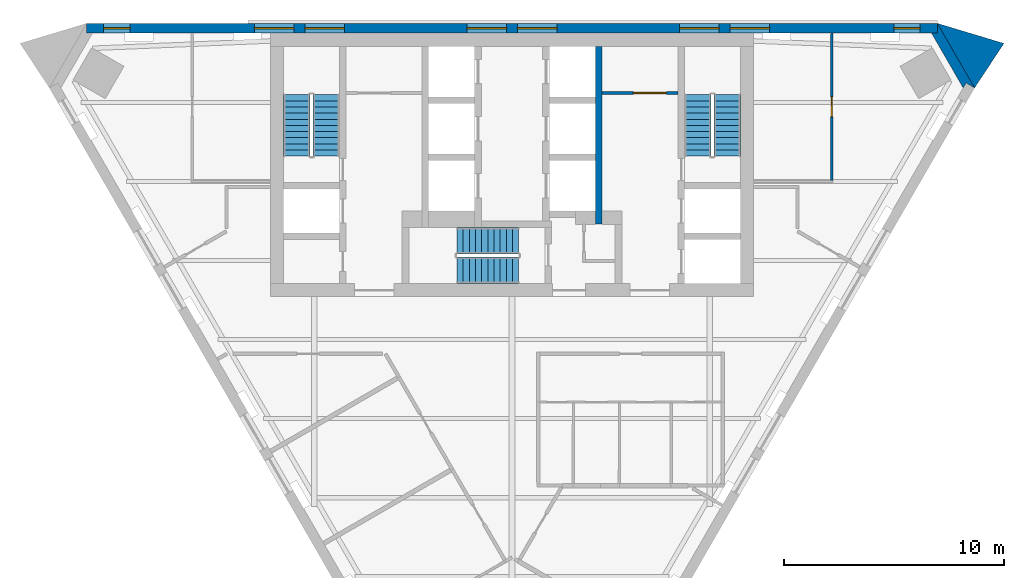
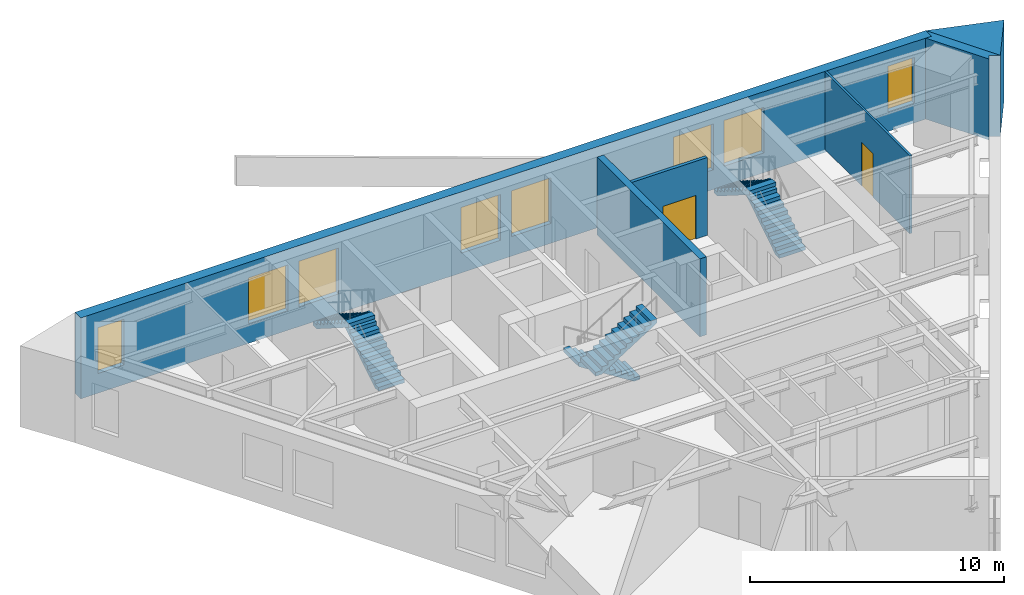
# One storey, part 5 of 6: 8 windows, 6 stair flights, 6 walls, 2 doors, 10 openings, 3 elements without a shape of their own.
"""IFC4 building model written with IfcOpenShell, lengths in metres."""

from ifc_helpers import new_model, si_unit, direction, frame, frame_2d, origin, place, context, subcontext, project, spatial, polyline, rectangle, outline, extrude, material, layer, layer_set, type_object, element, fill, aggregate, save


model = new_model("IFC4")

# Units and contexts
model_context = context("Model", 3, precision=1e-05, world=origin(), true_north=direction((0.0, 1.0)))
body_context = subcontext(model_context, "Body", "Model", "MODEL_VIEW")
ifc_project = project(units=[si_unit("LENGTHUNIT", "METRE"), si_unit("AREAUNIT", "SQUARE_METRE"), si_unit("VOLUMEUNIT", "CUBIC_METRE"), si_unit("PLANEANGLEUNIT", "RADIAN"), si_unit("MASSUNIT", "GRAM", prefix="KILO")], contexts=[model_context])

# Site, building, storey
site_placement = place(None, origin())
site = spatial("IfcSite", under=ifc_project, at=site_placement, CompositionType="ELEMENT")
building_placement = place(site_placement, origin())
building = spatial("IfcBuilding", under=site, at=building_placement, Name="Aloe Facet Convention Tower", CompositionType="ELEMENT")
storey_placement = place(building_placement, frame((0.0, 0.0, 184.10009765625)))
storey = spatial("IfcBuildingStorey", under=building, at=storey_placement, Name="L46", CompositionType="ELEMENT", Elevation=184.10009765625)

# Wall, opening, door
ifc_material_1 = material(Name="Concrete blockwork partition", Category="masonry")
ifc_layer_1 = layer(ifc_material_1, 0.14990234375)
ifc_layer_set_1 = layer_set([ifc_layer_1], Name="CR-W-PART150")
wall_type_1 = type_object("IfcWallType", Name="CR-W-PART150", PredefinedType="PARTITIONING", material=ifc_layer_set_1)
wall_1_placement = place(storey_placement, frame((84.10009765625, 131.824951171875, 0.0), z_axis=(0.0, 0.0, 1.0), x_axis=(1.0, 0.0, 0.0)))
wall_1 = element("IfcWall", 1, at=wall_1_placement, inside=storey, type_object=wall_type_1, Name="Core partition L46-025", PredefinedType="PARTITIONING", context=body_context, shape_type="SweptSolid", body=[
    extrude(rectangle(XDim=3.449951171875, YDim=0.14990234375, at=frame_2d((1.72509765625, 0.0))), origin(), (0.0, 0.0, 1.0), 3.75),
])
opening_1_placement = place(wall_1_placement, frame((1.425048828125, 0.0, 0.0)))
opening_1 = element("IfcOpeningElement", 2, at=opening_1_placement, cuts=wall_1, Name="Opening L46-CD13", PredefinedType="OPENING", context=body_context, shape_type="SweptSolid", body=[
    extrude(rectangle(XDim=1.5, YDim=2.10009765625, at=frame_2d((0.75, 1.050048828125))), frame((0.0, 0.0849609375, 0.0), z_axis=(0.0, -1.0, 0.0), x_axis=(1.0, 0.0, 0.0)), (0.0, 0.0, 1.0), 0.169921875),
])
ifc_material_2 = material(Name="Steel fire-resisting door set FD60", Category="steel")
door_type_1 = type_object("IfcDoorType", Name="CR-D-REFUGE-1500-FD60-DD", OperationType="DOUBLE_DOOR_DOUBLE_SWING", PredefinedType="DOOR", material=ifc_material_2)
door_1_placement = place(opening_1_placement, origin())
door_1 = element("IfcDoor", 3, at=door_1_placement, inside=storey, type_object=door_type_1, Name="Core door L46-CD13", OperationType="DOUBLE_DOOR_DOUBLE_SWING", OverallHeight=2.10009765625, OverallWidth=1.5, PredefinedType="DOOR", context=body_context, shape_type="SweptSolid", body=[
    extrude(rectangle(XDim=1.5, YDim=2.10009765625, at=frame_2d((0.75, 1.050048828125))), frame((0.0, 0.02490234375, 0.0), z_axis=(0.0, -1.0, 0.0), x_axis=(1.0, 0.0, 0.0)), (0.0, 0.0, 1.0), 0.050048828125),
])
fill(opening_1, door_1)

# Walls
ifc_material_3 = material(Name="Concrete C50/60", Category="concrete")
ifc_layer_2 = layer(ifc_material_3, 0.300048828125)
ifc_layer_set_2 = layer_set([ifc_layer_2], Name="CR-W-RC300-C5060")
wall_type_2 = type_object("IfcWallType", Name="CR-W-RC300-C5060", PredefinedType="SOLIDWALL", material=ifc_layer_set_2)
wall_2_placement = place(storey_placement, frame((83.949951171875, 133.949951171875, 0.0), z_axis=(0.0, 0.0, 1.0), x_axis=(0.0, -1.0, 0.0)))
element("IfcWall", 4, at=wall_2_placement, inside=storey, type_object=wall_type_2, Name="Core wall L46-024", PredefinedType="SOLIDWALL", context=body_context, shape_type="SweptSolid", body=[
    extrude(rectangle(XDim=8.099853515625, YDim=0.300048828125, at=frame_2d((4.0498046875, 0.0))), origin(), (0.0, 0.0, 1.0), 3.75),
])
ifc_material_4 = material(Name="Precast concrete C40/50", Category="concrete")
ifc_layer_3 = layer(ifc_material_4, 0.449951171875)
ifc_layer_set_3 = layer_set([ifc_layer_3], Name="EV-WALL-PIER")
wall_type_3 = type_object("IfcWallType", Name="EV-WALL-PIER", PredefinedType="SOLIDWALL", material=ifc_layer_set_3)
wall_3_placement = place(storey_placement, frame((0.0, 0.0, -0.150146484375)))
element("IfcWall", 5, at=wall_3_placement, inside=storey, type_object=wall_type_3, Name="EP-L46-C", PredefinedType="SOLIDWALL", context=body_context, shape_type="SweptSolid", body=[
    extrude(outline(polyline([(101.064697265625, 132.055419921875), (100.6748046875, 132.280517578125), (100.544921875, 132.055419921875), (99.104736328125, 134.550048828125), (99.364501953125, 134.550048828125), (99.364501953125, 135.0), (101.064697265625, 132.055419921875)])), origin(), (0.0, 0.0, 1.0), 3.900146484375),
])
ifc_material_5 = material(Name="Precast concrete C40/50", Category="concrete")
ifc_layer_4 = layer(ifc_material_5, 3.947998046875)
ifc_layer_set_4 = layer_set([ifc_layer_4], Name="EV-WALL-SPINE")
wall_type_4 = type_object("IfcWallType", Name="EV-WALL-SPINE", PredefinedType="SOLIDWALL", material=ifc_layer_set_4)
wall_4_placement = place(storey_placement, frame((0.0, 0.0, -0.150146484375)))
element("IfcWall", 6, at=wall_4_placement, inside=storey, type_object=wall_type_4, Name="SP-NE-L46", PredefinedType="SOLIDWALL", context=body_context, shape_type="SweptSolid", body=[
    extrude(outline(polyline([(101.064697265625, 132.055419921875), (102.40185546875, 134.0849609375), (99.364501953125, 135.0), (101.064697265625, 132.055419921875)])), origin(), (0.0, 0.0, 1.0), 3.900146484375),
])

# Wall, openings, windows
ifc_material_6 = material(Name="Precast concrete C40/50", Category="concrete")
ifc_layer_5 = layer(ifc_material_6, 0.449951171875)
ifc_layer_set_5 = layer_set([ifc_layer_5], Name="EV-WALL-STONE")
wall_type_5 = type_object("IfcWallType", Name="EV-WALL-STONE", PredefinedType="SOLIDWALL", material=ifc_layer_set_5)
wall_5_placement = place(storey_placement, frame((99.364501953125, 134.77490234375, -0.150146484375), z_axis=(0.0, 0.0, 1.0), x_axis=(-1.0, 0.0, 0.0)))
wall_5 = element("IfcWall", 7, at=wall_5_placement, inside=storey, type_object=wall_type_5, Name="EW-L46-N01", PredefinedType="SOLIDWALL", context=body_context, shape_type="SweptSolid", body=[
    extrude(outline(polyline([(38.729248046875, 0.0), (38.729248046875, 3.900146484375), (0.0, 3.900146484375), (0.0, 0.0), (38.729248046875, 0.0)])), frame((0.0, 0.22509765625, 0.0), z_axis=(0.0, -1.0, 0.0), x_axis=(1.0, 0.0, 0.0)), (0.0, 0.0, 1.0), 0.449951171875),
])
opening_2_placement = place(wall_5_placement, frame((0.776123046875, 0.0, 0.949951171875)))
opening_2 = element("IfcOpeningElement", 8, at=opening_2_placement, cuts=wall_5, Name="Opening W-L46-N01", PredefinedType="OPENING", context=body_context, shape_type="SweptSolid", body=[
    extrude(rectangle(XDim=1.199951171875, YDim=2.199951171875, at=frame_2d((0.60009765625, 1.10009765625))), frame((0.0, 0.23486328125, 0.0), z_axis=(0.0, -1.0, 0.0), x_axis=(1.0, 0.0, 0.0)), (0.0, 0.0, 1.0), 0.469970703125),
])
opening_3_placement = place(wall_5_placement, frame((7.63232421875, 0.0, 0.949951171875)))
opening_3 = element("IfcOpeningElement", 9, at=opening_3_placement, cuts=wall_5, Name="Opening W-L46-N02", PredefinedType="OPENING", context=body_context, shape_type="SweptSolid", body=[
    extrude(rectangle(XDim=1.800048828125, YDim=2.199951171875, at=frame_2d((0.89990234375, 1.10009765625))), frame((0.0, 0.23486328125, 0.0), z_axis=(0.0, -1.0, 0.0), x_axis=(1.0, 0.0, 0.0)), (0.0, 0.0, 1.0), 0.469970703125),
])
opening_4_placement = place(wall_5_placement, frame((9.932373046875, 0.0, 0.949951171875)))
opening_4 = element("IfcOpeningElement", 10, at=opening_4_placement, cuts=wall_5, Name="Opening W-L46-N03", PredefinedType="OPENING", context=body_context, shape_type="SweptSolid", body=[
    extrude(rectangle(XDim=1.800048828125, YDim=2.199951171875, at=frame_2d((0.89990234375, 1.10009765625))), frame((0.0, 0.23486328125, 0.0), z_axis=(0.0, -1.0, 0.0), x_axis=(1.0, 0.0, 0.0)), (0.0, 0.0, 1.0), 0.469970703125),
])
opening_5_placement = place(wall_5_placement, frame((17.314697265625, 0.0, 0.949951171875)))
opening_5 = element("IfcOpeningElement", 11, at=opening_5_placement, cuts=wall_5, Name="Opening W-L46-N04", PredefinedType="OPENING", context=body_context, shape_type="SweptSolid", body=[
    extrude(rectangle(XDim=1.800048828125, YDim=2.199951171875, at=frame_2d((0.89990234375, 1.10009765625))), frame((0.0, 0.23486328125, 0.0), z_axis=(0.0, -1.0, 0.0), x_axis=(1.0, 0.0, 0.0)), (0.0, 0.0, 1.0), 0.469970703125),
])
opening_6_placement = place(wall_5_placement, frame((19.614501953125, 0.0, 0.949951171875)))
opening_6 = element("IfcOpeningElement", 12, at=opening_6_placement, cuts=wall_5, Name="Opening W-L46-N05", PredefinedType="OPENING", context=body_context, shape_type="SweptSolid", body=[
    extrude(rectangle(XDim=1.800048828125, YDim=2.199951171875, at=frame_2d((0.89990234375, 1.10009765625))), frame((0.0, 0.23486328125, 0.0), z_axis=(0.0, -1.0, 0.0), x_axis=(1.0, 0.0, 0.0)), (0.0, 0.0, 1.0), 0.469970703125),
])
opening_7_placement = place(wall_5_placement, frame((26.996826171875, 0.0, 0.949951171875)))
opening_7 = element("IfcOpeningElement", 13, at=opening_7_placement, cuts=wall_5, Name="Opening W-L46-N06", PredefinedType="OPENING", context=body_context, shape_type="SweptSolid", body=[
    extrude(rectangle(XDim=1.800048828125, YDim=2.199951171875, at=frame_2d((0.89990234375, 1.10009765625))), frame((0.0, 0.23486328125, 0.0), z_axis=(0.0, -1.0, 0.0), x_axis=(1.0, 0.0, 0.0)), (0.0, 0.0, 1.0), 0.469970703125),
])
opening_8_placement = place(wall_5_placement, frame((29.296875, 0.0, 0.949951171875)))
opening_8 = element("IfcOpeningElement", 14, at=opening_8_placement, cuts=wall_5, Name="Opening W-L46-N07", PredefinedType="OPENING", context=body_context, shape_type="SweptSolid", body=[
    extrude(rectangle(XDim=1.800048828125, YDim=2.199951171875, at=frame_2d((0.89990234375, 1.10009765625))), frame((0.0, 0.23486328125, 0.0), z_axis=(0.0, -1.0, 0.0), x_axis=(1.0, 0.0, 0.0)), (0.0, 0.0, 1.0), 0.469970703125),
])
opening_9_placement = place(wall_5_placement, frame((36.753173828125, 0.0, 0.949951171875)))
opening_9 = element("IfcOpeningElement", 15, at=opening_9_placement, cuts=wall_5, Name="Opening W-L46-N08", PredefinedType="OPENING", context=body_context, shape_type="SweptSolid", body=[
    extrude(rectangle(XDim=1.199951171875, YDim=2.199951171875, at=frame_2d((0.60009765625, 1.10009765625))), frame((0.0, 0.23486328125, 0.0), z_axis=(0.0, -1.0, 0.0), x_axis=(1.0, 0.0, 0.0)), (0.0, 0.0, 1.0), 0.469970703125),
])
ifc_material_7 = material(Name="Aluminium frame, clear double glazing", Category="aluminium")
window_type_1 = type_object("IfcWindowType", Name="EV-WIN-O12", PartitioningType="SINGLE_PANEL", PredefinedType="WINDOW", material=ifc_material_7)
window_1_placement = place(opening_2_placement, origin())
window_1 = element("IfcWindow", 16, at=window_1_placement, inside=storey, type_object=window_type_1, Name="W-L46-N01", OverallHeight=2.199951171875, OverallWidth=1.199951171875, PartitioningType="SINGLE_PANEL", PredefinedType="WINDOW", context=body_context, shape_type="SweptSolid", body=[
    extrude(rectangle(XDim=1.199951171875, YDim=2.199951171875, at=frame_2d((0.60009765625, 1.10009765625))), frame((0.0, 0.030029296875, 0.0), z_axis=(0.0, -1.0, 0.0), x_axis=(1.0, 0.0, 0.0)), (0.0, 0.0, 1.0), 0.06005859375),
])
fill(opening_2, window_1)
window_2_placement = place(opening_9_placement, origin())
window_2 = element("IfcWindow", 17, at=window_2_placement, inside=storey, type_object=window_type_1, Name="W-L46-N08", OverallHeight=2.199951171875, OverallWidth=1.199951171875, PartitioningType="SINGLE_PANEL", PredefinedType="WINDOW", context=body_context, shape_type="SweptSolid", body=[
    extrude(rectangle(XDim=1.199951171875, YDim=2.199951171875, at=frame_2d((0.60009765625, 1.10009765625))), frame((0.0, 0.030029296875, 0.0), z_axis=(0.0, -1.0, 0.0), x_axis=(1.0, 0.0, 0.0)), (0.0, 0.0, 1.0), 0.06005859375),
])
fill(opening_9, window_2)
ifc_material_8 = material(Name="Aluminium frame, clear double glazing", Category="aluminium")
window_type_2 = type_object("IfcWindowType", Name="EV-WIN-O18", PartitioningType="SINGLE_PANEL", PredefinedType="WINDOW", material=ifc_material_8)
window_3_placement = place(opening_3_placement, origin())
window_3 = element("IfcWindow", 18, at=window_3_placement, inside=storey, type_object=window_type_2, Name="W-L46-N02", OverallHeight=2.199951171875, OverallWidth=1.800048828125, PartitioningType="SINGLE_PANEL", PredefinedType="WINDOW", context=body_context, shape_type="SweptSolid", body=[
    extrude(rectangle(XDim=1.800048828125, YDim=2.199951171875, at=frame_2d((0.89990234375, 1.10009765625))), frame((0.0, 0.030029296875, 0.0), z_axis=(0.0, -1.0, 0.0), x_axis=(1.0, 0.0, 0.0)), (0.0, 0.0, 1.0), 0.06005859375),
])
fill(opening_3, window_3)
window_4_placement = place(opening_4_placement, origin())
window_4 = element("IfcWindow", 19, at=window_4_placement, inside=storey, type_object=window_type_2, Name="W-L46-N03", OverallHeight=2.199951171875, OverallWidth=1.800048828125, PartitioningType="SINGLE_PANEL", PredefinedType="WINDOW", context=body_context, shape_type="SweptSolid", body=[
    extrude(rectangle(XDim=1.800048828125, YDim=2.199951171875, at=frame_2d((0.89990234375, 1.10009765625))), frame((0.0, 0.030029296875, 0.0), z_axis=(0.0, -1.0, 0.0), x_axis=(1.0, 0.0, 0.0)), (0.0, 0.0, 1.0), 0.06005859375),
])
fill(opening_4, window_4)
window_5_placement = place(opening_5_placement, origin())
window_5 = element("IfcWindow", 20, at=window_5_placement, inside=storey, type_object=window_type_2, Name="W-L46-N04", OverallHeight=2.199951171875, OverallWidth=1.800048828125, PartitioningType="SINGLE_PANEL", PredefinedType="WINDOW", context=body_context, shape_type="SweptSolid", body=[
    extrude(rectangle(XDim=1.800048828125, YDim=2.199951171875, at=frame_2d((0.89990234375, 1.10009765625))), frame((0.0, 0.030029296875, 0.0), z_axis=(0.0, -1.0, 0.0), x_axis=(1.0, 0.0, 0.0)), (0.0, 0.0, 1.0), 0.06005859375),
])
fill(opening_5, window_5)
window_6_placement = place(opening_6_placement, origin())
window_6 = element("IfcWindow", 21, at=window_6_placement, inside=storey, type_object=window_type_2, Name="W-L46-N05", OverallHeight=2.199951171875, OverallWidth=1.800048828125, PartitioningType="SINGLE_PANEL", PredefinedType="WINDOW", context=body_context, shape_type="SweptSolid", body=[
    extrude(rectangle(XDim=1.800048828125, YDim=2.199951171875, at=frame_2d((0.89990234375, 1.10009765625))), frame((0.0, 0.030029296875, 0.0), z_axis=(0.0, -1.0, 0.0), x_axis=(1.0, 0.0, 0.0)), (0.0, 0.0, 1.0), 0.06005859375),
])
fill(opening_6, window_6)
window_7_placement = place(opening_7_placement, origin())
window_7 = element("IfcWindow", 22, at=window_7_placement, inside=storey, type_object=window_type_2, Name="W-L46-N06", OverallHeight=2.199951171875, OverallWidth=1.800048828125, PartitioningType="SINGLE_PANEL", PredefinedType="WINDOW", context=body_context, shape_type="SweptSolid", body=[
    extrude(rectangle(XDim=1.800048828125, YDim=2.199951171875, at=frame_2d((0.89990234375, 1.10009765625))), frame((0.0, 0.030029296875, 0.0), z_axis=(0.0, -1.0, 0.0), x_axis=(1.0, 0.0, 0.0)), (0.0, 0.0, 1.0), 0.06005859375),
])
fill(opening_7, window_7)
window_8_placement = place(opening_8_placement, origin())
window_8 = element("IfcWindow", 23, at=window_8_placement, inside=storey, type_object=window_type_2, Name="W-L46-N07", OverallHeight=2.199951171875, OverallWidth=1.800048828125, PartitioningType="SINGLE_PANEL", PredefinedType="WINDOW", context=body_context, shape_type="SweptSolid", body=[
    extrude(rectangle(XDim=1.800048828125, YDim=2.199951171875, at=frame_2d((0.89990234375, 1.10009765625))), frame((0.0, 0.030029296875, 0.0), z_axis=(0.0, -1.0, 0.0), x_axis=(1.0, 0.0, 0.0)), (0.0, 0.0, 1.0), 0.06005859375),
])
fill(opening_8, window_8)

# Wall, opening, door
ifc_material_9 = material(Name="Gypsum board partition on steel studs", Category="steel")
ifc_layer_6 = layer(ifc_material_9, 0.10009765625)
ifc_layer_set_6 = layer_set([ifc_layer_6], Name="IN-W-PART")
wall_type_6 = type_object("IfcWallType", Name="IN-W-PART", PredefinedType="PARTITIONING", material=ifc_layer_set_6)
wall_6_placement = place(storey_placement, frame((94.55859375, 127.85009765625, 0.0), z_axis=(0.0, 0.0, 1.0), x_axis=(0.000728783103, 0.999999734438, 0.0)))
wall_6 = element("IfcWall", 24, at=wall_6_placement, inside=storey, type_object=wall_type_6, Name="Partition L46-W041", PredefinedType="PARTITIONING", context=body_context, shape_type="SweptSolid", body=[
    extrude(rectangle(XDim=6.699951171875, YDim=0.10009765625, at=frame_2d((3.35009765625, 0.0))), origin(), (0.0, 0.0, 1.0), 3.75),
])
opening_10_placement = place(wall_6_placement, frame((2.89990234375, 0.0, 0.0)))
opening_10 = element("IfcOpeningElement", 25, at=opening_10_placement, cuts=wall_6, Name="Opening L46-006", PredefinedType="OPENING", context=body_context, shape_type="SweptSolid", body=[
    extrude(rectangle(XDim=0.89990234375, YDim=2.10009765625, at=frame_2d((0.449951171875, 1.050048828125))), frame((0.0, 0.06005859375, 0.0), z_axis=(0.0, -1.0, 0.0), x_axis=(1.0, 0.0, 0.0)), (0.0, 0.0, 1.0), 0.1201171875),
])
ifc_material_10 = material(Name="Timber door", Category="wood")
door_type_2 = type_object("IfcDoorType", Name="IN-OFF-D-ROOM", OperationType="SINGLE_SWING_LEFT", PredefinedType="DOOR", material=ifc_material_10)
door_2_placement = place(opening_10_placement, origin())
door_2 = element("IfcDoor", 26, at=door_2_placement, inside=storey, type_object=door_type_2, Name="Door L46-006", OperationType="SINGLE_SWING_LEFT", OverallHeight=2.10009765625, OverallWidth=0.89990234375, PredefinedType="DOOR", context=body_context, shape_type="SweptSolid", body=[
    extrude(rectangle(XDim=0.89990234375, YDim=2.10009765625, at=frame_2d((0.449951171875, 1.050048828125))), frame((0.0, 0.02490234375, 0.0), z_axis=(0.0, -1.0, 0.0), x_axis=(1.0, 0.0, 0.0)), (0.0, 0.0, 1.0), 0.050048828125),
])
fill(opening_10, door_2)

# Stair, stair flights
ifc_material_11 = material(Name="Concrete C50/60", Category="concrete")
stair_type = type_object("IfcStairType", Name="CR-ST-22R", PredefinedType="HALF_TURN_STAIR", material=ifc_material_11)
stair_1_placement = place(storey_placement, origin())
stair_1 = element("IfcStair", 27, at=stair_1_placement, inside=storey, type_object=stair_type, Name="L46 Protected exit stair ST1", PredefinedType="HALF_TURN_STAIR")
ifc_material_12 = material(Name="Concrete C50/60", Category="concrete")
stair_flight_type = type_object("IfcStairFlightType", Name="CR-SFL-22R", PredefinedType="STRAIGHT", material=ifc_material_12)
stair_flight_1_placement = place(storey_placement, frame((71.550048828125, 128.949951171875, 0.0), z_axis=(0.0, 0.0, 1.0), x_axis=(0.0, 1.0, 0.0)))
stair_flight_1 = element("IfcStairFlight", 28, at=stair_flight_1_placement, type_object=stair_flight_type, Name="ST1 flight 1", NumberOfRisers=11, NumberOfTreads=10, PredefinedType="STRAIGHT", RiserHeight=0.177272727, TreadLength=0.28, context=body_context, shape_type="SweptSolid", body=[
    extrude(outline(polyline([(0.0, 0.0), (0.0, 0.17724609375), (0.280029296875, 0.17724609375), (0.280029296875, 0.3544921875), (0.56005859375, 0.3544921875), (0.56005859375, 0.53173828125), (0.840087890625, 0.53173828125), (0.840087890625, 0.708984375), (1.1201171875, 0.708984375), (1.1201171875, 0.886474609375), (1.39990234375, 0.886474609375), (1.39990234375, 1.063720703125), (1.679931640625, 1.063720703125), (1.679931640625, 1.240966796875), (1.9599609375, 1.240966796875), (1.9599609375, 1.418212890625), (2.239990234375, 1.418212890625), (2.239990234375, 1.595458984375), (2.52001953125, 1.595458984375), (2.52001953125, 1.772705078125), (2.800048828125, 1.772705078125), (2.800048828125, 1.949951171875), (2.800048828125, 1.59521484375), (0.2802734375, 0.0), (0.0, 0.0)])), frame((0.0, 0.60009765625, 0.0), z_axis=(0.0, -1.0, 0.0), x_axis=(1.0, 0.0, 0.0)), (0.0, 0.0, 1.0), 1.199951171875),
])
stair_flight_2_placement = place(storey_placement, frame((70.199951171875, 131.75, 1.949951171875), z_axis=(0.0, 0.0, 1.0), x_axis=(0.0, -1.0, 0.0)))
stair_flight_2 = element("IfcStairFlight", 29, at=stair_flight_2_placement, type_object=stair_flight_type, Name="ST1 flight 2", NumberOfRisers=11, NumberOfTreads=10, PredefinedType="STRAIGHT", RiserHeight=0.177272727, TreadLength=0.28, context=body_context, shape_type="SweptSolid", body=[
    extrude(outline(polyline([(0.0, 0.0), (0.0, 0.17724609375), (0.280029296875, 0.17724609375), (0.280029296875, 0.3544921875), (0.56005859375, 0.3544921875), (0.56005859375, 0.53173828125), (0.840087890625, 0.53173828125), (0.840087890625, 0.708984375), (1.1201171875, 0.708984375), (1.1201171875, 0.886474609375), (1.39990234375, 0.886474609375), (1.39990234375, 1.063720703125), (1.679931640625, 1.063720703125), (1.679931640625, 1.240966796875), (1.9599609375, 1.240966796875), (1.9599609375, 1.418212890625), (2.239990234375, 1.418212890625), (2.239990234375, 1.595458984375), (2.52001953125, 1.595458984375), (2.52001953125, 1.772705078125), (2.800048828125, 1.772705078125), (2.800048828125, 1.949951171875), (2.800048828125, 1.59521484375), (0.2802734375, 0.0), (0.0, 0.0)])), frame((0.0, 0.60009765625, 0.0), z_axis=(0.0, -1.0, 0.0), x_axis=(1.0, 0.0, 0.0)), (0.0, 0.0, 1.0), 1.199951171875),
])
aggregate(stair_1, [stair_flight_1, stair_flight_2])

stair_2_placement = place(storey_placement, origin())
stair_2 = element("IfcStair", 30, at=stair_2_placement, inside=storey, type_object=stair_type, Name="L46 Protected exit stair ST2", PredefinedType="HALF_TURN_STAIR")
stair_flight_3_placement = place(storey_placement, frame((89.800048828125, 128.949951171875, 0.0), z_axis=(0.0, 0.0, 1.0), x_axis=(0.0, 1.0, 0.0)))
stair_flight_3 = element("IfcStairFlight", 31, at=stair_flight_3_placement, type_object=stair_flight_type, Name="ST2 flight 1", NumberOfRisers=11, NumberOfTreads=10, PredefinedType="STRAIGHT", RiserHeight=0.177272727, TreadLength=0.28, context=body_context, shape_type="SweptSolid", body=[
    extrude(outline(polyline([(0.0, 0.0), (0.0, 0.17724609375), (0.280029296875, 0.17724609375), (0.280029296875, 0.3544921875), (0.56005859375, 0.3544921875), (0.56005859375, 0.53173828125), (0.840087890625, 0.53173828125), (0.840087890625, 0.708984375), (1.1201171875, 0.708984375), (1.1201171875, 0.886474609375), (1.39990234375, 0.886474609375), (1.39990234375, 1.063720703125), (1.679931640625, 1.063720703125), (1.679931640625, 1.240966796875), (1.9599609375, 1.240966796875), (1.9599609375, 1.418212890625), (2.239990234375, 1.418212890625), (2.239990234375, 1.595458984375), (2.52001953125, 1.595458984375), (2.52001953125, 1.772705078125), (2.800048828125, 1.772705078125), (2.800048828125, 1.949951171875), (2.800048828125, 1.59521484375), (0.2802734375, 0.0), (0.0, 0.0)])), frame((0.0, 0.60009765625, 0.0), z_axis=(0.0, -1.0, 0.0), x_axis=(1.0, 0.0, 0.0)), (0.0, 0.0, 1.0), 1.199951171875),
])
stair_flight_4_placement = place(storey_placement, frame((88.449951171875, 131.75, 1.949951171875), z_axis=(0.0, 0.0, 1.0), x_axis=(0.0, -1.0, 0.0)))
stair_flight_4 = element("IfcStairFlight", 32, at=stair_flight_4_placement, type_object=stair_flight_type, Name="ST2 flight 2", NumberOfRisers=11, NumberOfTreads=10, PredefinedType="STRAIGHT", RiserHeight=0.177272727, TreadLength=0.28, context=body_context, shape_type="SweptSolid", body=[
    extrude(outline(polyline([(0.0, 0.0), (0.0, 0.17724609375), (0.280029296875, 0.17724609375), (0.280029296875, 0.3544921875), (0.56005859375, 0.3544921875), (0.56005859375, 0.53173828125), (0.840087890625, 0.53173828125), (0.840087890625, 0.708984375), (1.1201171875, 0.708984375), (1.1201171875, 0.886474609375), (1.39990234375, 0.886474609375), (1.39990234375, 1.063720703125), (1.679931640625, 1.063720703125), (1.679931640625, 1.240966796875), (1.9599609375, 1.240966796875), (1.9599609375, 1.418212890625), (2.239990234375, 1.418212890625), (2.239990234375, 1.595458984375), (2.52001953125, 1.595458984375), (2.52001953125, 1.772705078125), (2.800048828125, 1.772705078125), (2.800048828125, 1.949951171875), (2.800048828125, 1.59521484375), (0.2802734375, 0.0), (0.0, 0.0)])), frame((0.0, 0.60009765625, 0.0), z_axis=(0.0, -1.0, 0.0), x_axis=(1.0, 0.0, 0.0)), (0.0, 0.0, 1.0), 1.199951171875),
])
aggregate(stair_2, [stair_flight_3, stair_flight_4])

stair_3_placement = place(storey_placement, origin())
stair_3 = element("IfcStair", 33, at=stair_3_placement, inside=storey, type_object=stair_type, Name="L46 Protected exit stair ST3", PredefinedType="HALF_TURN_STAIR")
stair_flight_5_placement = place(storey_placement, frame((80.300048828125, 125.10009765625, 0.0), z_axis=(0.0, 0.0, 1.0), x_axis=(-1.0, 0.0, 0.0)))
stair_flight_5 = element("IfcStairFlight", 34, at=stair_flight_5_placement, type_object=stair_flight_type, Name="ST3 flight 1", NumberOfRisers=11, NumberOfTreads=10, PredefinedType="STRAIGHT", RiserHeight=0.177272727, TreadLength=0.28, context=body_context, shape_type="SweptSolid", body=[
    extrude(outline(polyline([(0.0, 0.0), (0.0, 0.17724609375), (0.280029296875, 0.17724609375), (0.280029296875, 0.3544921875), (0.56005859375, 0.3544921875), (0.56005859375, 0.53173828125), (0.840087890625, 0.53173828125), (0.840087890625, 0.708984375), (1.1201171875, 0.708984375), (1.1201171875, 0.886474609375), (1.39990234375, 0.886474609375), (1.39990234375, 1.063720703125), (1.679931640625, 1.063720703125), (1.679931640625, 1.240966796875), (1.9599609375, 1.240966796875), (1.9599609375, 1.418212890625), (2.239990234375, 1.418212890625), (2.239990234375, 1.595458984375), (2.52001953125, 1.595458984375), (2.52001953125, 1.772705078125), (2.800048828125, 1.772705078125), (2.800048828125, 1.949951171875), (2.800048828125, 1.59521484375), (0.2802734375, 0.0), (0.0, 0.0)])), frame((0.0, 0.60009765625, 0.0), z_axis=(0.0, -1.0, 0.0), x_axis=(1.0, 0.0, 0.0)), (0.0, 0.0, 1.0), 1.199951171875),
])
stair_flight_6_placement = place(storey_placement, frame((77.5, 123.75, 1.949951171875), z_axis=(0.0, 0.0, 1.0), x_axis=(1.0, 0.0, 0.0)))
stair_flight_6 = element("IfcStairFlight", 35, at=stair_flight_6_placement, type_object=stair_flight_type, Name="ST3 flight 2", NumberOfRisers=11, NumberOfTreads=10, PredefinedType="STRAIGHT", RiserHeight=0.177272727, TreadLength=0.28, context=body_context, shape_type="SweptSolid", body=[
    extrude(outline(polyline([(0.0, 0.0), (0.0, 0.17724609375), (0.280029296875, 0.17724609375), (0.280029296875, 0.3544921875), (0.56005859375, 0.3544921875), (0.56005859375, 0.53173828125), (0.840087890625, 0.53173828125), (0.840087890625, 0.708984375), (1.1201171875, 0.708984375), (1.1201171875, 0.886474609375), (1.39990234375, 0.886474609375), (1.39990234375, 1.063720703125), (1.679931640625, 1.063720703125), (1.679931640625, 1.240966796875), (1.9599609375, 1.240966796875), (1.9599609375, 1.418212890625), (2.239990234375, 1.418212890625), (2.239990234375, 1.595458984375), (2.52001953125, 1.595458984375), (2.52001953125, 1.772705078125), (2.800048828125, 1.772705078125), (2.800048828125, 1.949951171875), (2.800048828125, 1.59521484375), (0.2802734375, 0.0), (0.0, 0.0)])), frame((0.0, 0.60009765625, 0.0), z_axis=(0.0, -1.0, 0.0), x_axis=(1.0, 0.0, 0.0)), (0.0, 0.0, 1.0), 1.199951171875),
])
aggregate(stair_3, [stair_flight_5, stair_flight_6])

save(model, "model.ifc")
